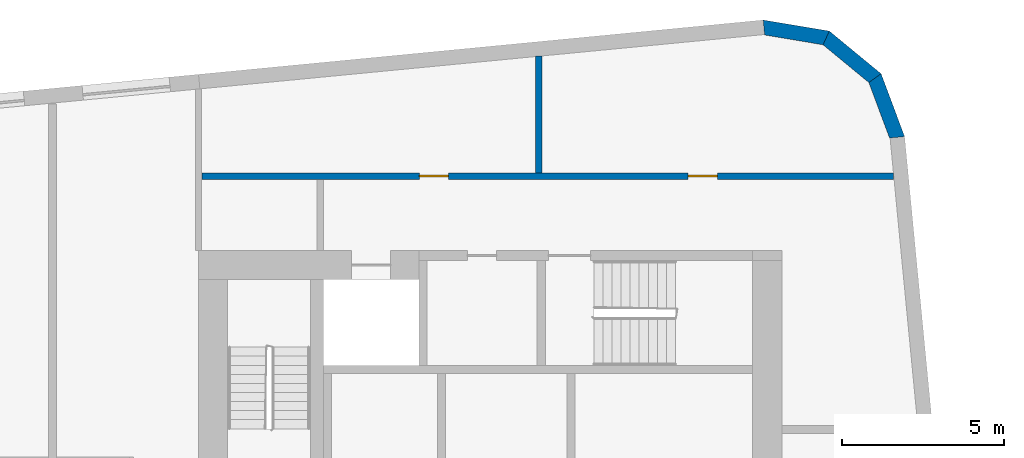
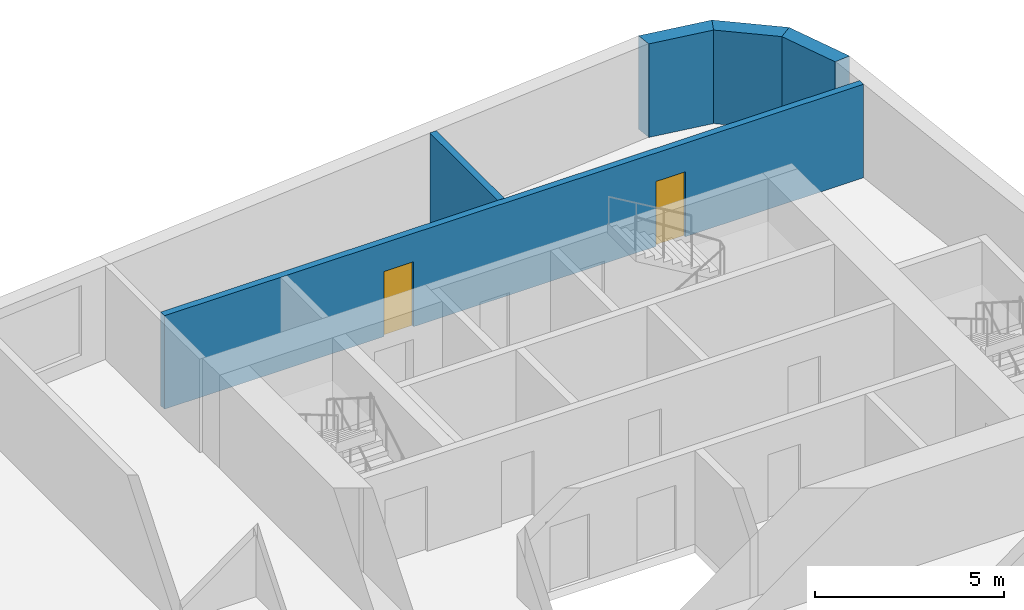
# One storey, part 7 of 11: 5 walls, 2 doors, 2 openings.
"""IFC4 building model written with IfcOpenShell, lengths in metres."""

from ifc_helpers import new_model, si_unit, direction, frame, frame_2d, origin, place, context, subcontext, project, spatial, polyline, rectangle, outline, extrude, material, layer, layer_set, type_object, element, fill, save


model = new_model("IFC4")

# Units and contexts
model_context = context("Model", 3, precision=1e-05, world=origin(), true_north=direction((0.0, 1.0)))
body_context = subcontext(model_context, "Body", "Model", "MODEL_VIEW")
ifc_project = project(units=[si_unit("LENGTHUNIT", "METRE"), si_unit("AREAUNIT", "SQUARE_METRE"), si_unit("VOLUMEUNIT", "CUBIC_METRE"), si_unit("PLANEANGLEUNIT", "RADIAN"), si_unit("MASSUNIT", "GRAM", prefix="KILO")], contexts=[model_context])

# Site, building, storey
site_placement = place(None, origin())
site = spatial("IfcSite", under=ifc_project, at=site_placement, CompositionType="ELEMENT")
building_placement = place(site_placement, origin())
building = spatial("IfcBuilding", under=site, at=building_placement, Name="Kajstack Hotel Tower", CompositionType="ELEMENT")
storey_placement = place(building_placement, frame((0.0, 0.0, 275.10009765625)))
storey = spatial("IfcBuildingStorey", under=building, at=storey_placement, Name="L68", CompositionType="ELEMENT", Elevation=275.10009765625)

# Walls
ifc_material_1 = material(Name="Terracotta-faced brick masonry", Category="masonry")
ifc_layer_1 = layer(ifc_material_1, 0.449951171875)
ifc_layer_set_1 = layer_set([ifc_layer_1], Name="EW-TERRA")
wall_type_1 = type_object("IfcWallType", Name="EW-TERRA", PredefinedType="SOLIDWALL", material=ifc_layer_set_1)
wall_1_placement = place(storey_placement, frame((35.078369140625, 18.9375, 0.0), z_axis=(0.0, 0.0, 1.0), x_axis=(-0.350192909346, 0.936677599948, 0.0)))
element("IfcWall", 1, at=wall_1_placement, inside=storey, type_object=wall_type_1, Name="E-wall-L68-09-00", PredefinedType="SOLIDWALL", context=body_context, shape_type="SweptSolid", body=[
    extrude(outline(polyline([(0.0, -0.22509765625), (2.070556640625, -0.22509765625), (1.949951171875, 0.224853515625), (0.12060546875, 0.224853515625), (0.0, -0.22509765625)])), origin(), (0.0, 0.0, 1.0), 3.02001953125),
])
wall_2_placement = place(storey_placement, frame((34.4208984375, 20.7822265625, 0.0), z_axis=(0.0, 0.0, 1.0), x_axis=(-0.771593176315, 0.636116318187, 0.0)))
element("IfcWall", 2, at=wall_2_placement, inside=storey, type_object=wall_type_1, Name="E-wall-L68-10-00", PredefinedType="SOLIDWALL", context=body_context, shape_type="SweptSolid", body=[
    extrude(outline(polyline([(0.0, -0.22509765625), (2.070556640625, -0.224853515625), (1.949951171875, 0.22509765625), (0.120361328125, 0.22509765625), (0.0, -0.22509765625)])), origin(), (0.0, 0.0, 1.0), 3.02001953125),
])
wall_3_placement = place(storey_placement, frame((32.92919921875, 22.051025390625, 0.0), z_axis=(0.0, 0.0, 1.0), x_axis=(-0.986298144721, 0.164972633245, 0.0)))
element("IfcWall", 3, at=wall_3_placement, inside=storey, type_object=wall_type_1, Name="E-wall-L68-11-00", PredefinedType="SOLIDWALL", context=body_context, shape_type="SweptSolid", body=[
    extrude(outline(polyline([(0.0, -0.224853515625), (2.0703125, -0.22509765625), (1.949951171875, 0.224853515625), (0.12060546875, 0.22509765625), (0.0, -0.224853515625)])), origin(), (0.0, 0.0, 1.0), 3.02001953125),
])

# Wall, openings, doors
ifc_material_2 = material(Name="Gypsum board on steel studs, mineral wool", Category="steel")
ifc_layer_2 = layer(ifc_material_2, 0.199951171875)
ifc_layer_set_2 = layer_set([ifc_layer_2], Name="Service partition 200")
wall_type_2 = type_object("IfcWallType", Name="Service partition 200", PredefinedType="PARTITIONING", material=ifc_layer_set_2)
wall_4_placement = place(storey_placement, frame((13.60009765625, 17.800048828125, 0.0), z_axis=(0.0, 0.0, 1.0), x_axis=(1.0, 0.0, 0.0)))
wall_4 = element("IfcWall", 4, at=wall_4_placement, inside=storey, type_object=wall_type_2, Name="Partition E SLN", PredefinedType="PARTITIONING", context=body_context, shape_type="SweptSolid", body=[
    extrude(rectangle(XDim=21.35400390625, YDim=0.199951171875, at=frame_2d((10.677001953125, 0.0))), origin(), (0.0, 0.0, 1.0), 3.02001953125),
])
opening_1_placement = place(wall_4_placement, frame((15.012451171875, 0.0, 0.0)))
opening_1 = element("IfcOpeningElement", 5, at=opening_1_placement, cuts=wall_4, Name="Opening 68E16", PredefinedType="OPENING", context=body_context, shape_type="SweptSolid", body=[
    extrude(rectangle(XDim=0.89990234375, YDim=2.10009765625, at=frame_2d((0.449951171875, 1.050048828125))), frame((0.0, 0.10986328125, 0.0), z_axis=(0.0, -1.0, 0.0), x_axis=(1.0, 0.0, 0.0)), (0.0, 0.0, 1.0), 0.219970703125),
])
opening_2_placement = place(wall_4_placement, frame((6.71240234375, 0.0, 0.0)))
opening_2 = element("IfcOpeningElement", 6, at=opening_2_placement, cuts=wall_4, Name="Opening 68E17", PredefinedType="OPENING", context=body_context, shape_type="SweptSolid", body=[
    extrude(rectangle(XDim=0.89990234375, YDim=2.10009765625, at=frame_2d((0.449951171875, 1.050048828125))), frame((0.0, 0.10986328125, 0.0), z_axis=(0.0, -1.0, 0.0), x_axis=(1.0, 0.0, 0.0)), (0.0, 0.0, 1.0), 0.219970703125),
])
ifc_material_3 = material(Name="Timber leaf, fire-rated", Category="wood")
door_type = type_object("IfcDoorType", Name="Service door 900", OperationType="SINGLE_SWING_LEFT", PredefinedType="DOOR", material=ifc_material_3)
door_1_placement = place(opening_1_placement, origin())
door_1 = element("IfcDoor", 7, at=door_1_placement, inside=storey, type_object=door_type, Name="Door 68E16", OperationType="SINGLE_SWING_LEFT", OverallHeight=2.10009765625, OverallWidth=0.89990234375, PredefinedType="DOOR", context=body_context, shape_type="SweptSolid", body=[
    extrude(rectangle(XDim=0.89990234375, YDim=2.10009765625, at=frame_2d((0.449951171875, 1.050048828125))), frame((0.0, 0.02490234375, 0.0), z_axis=(0.0, -1.0, 0.0), x_axis=(1.0, 0.0, 0.0)), (0.0, 0.0, 1.0), 0.050048828125),
])
fill(opening_1, door_1)
door_2_placement = place(opening_2_placement, origin())
door_2 = element("IfcDoor", 8, at=door_2_placement, inside=storey, type_object=door_type, Name="Door 68E17", OperationType="SINGLE_SWING_LEFT", OverallHeight=2.10009765625, OverallWidth=0.89990234375, PredefinedType="DOOR", context=body_context, shape_type="SweptSolid", body=[
    extrude(rectangle(XDim=0.89990234375, YDim=2.10009765625, at=frame_2d((0.449951171875, 1.050048828125))), frame((0.0, 0.02490234375, 0.0), z_axis=(0.0, -1.0, 0.0), x_axis=(1.0, 0.0, 0.0)), (0.0, 0.0, 1.0), 0.050048828125),
])
fill(opening_2, door_2)

# Wall
wall_5_placement = place(storey_placement, frame((24.0, 17.89990234375, 0.0), z_axis=(0.0, 0.0, 1.0), x_axis=(0.0, 1.0, 0.0)))
element("IfcWall", 9, at=wall_5_placement, inside=storey, type_object=wall_type_2, Name="Partition E SLP0", PredefinedType="PARTITIONING", context=body_context, shape_type="SweptSolid", body=[
    extrude(rectangle(XDim=3.5966796875, YDim=0.199951171875, at=frame_2d((1.79833984375, 0.0))), origin(), (0.0, 0.0, 1.0), 3.02001953125),
])

save(model, "model.ifc")
